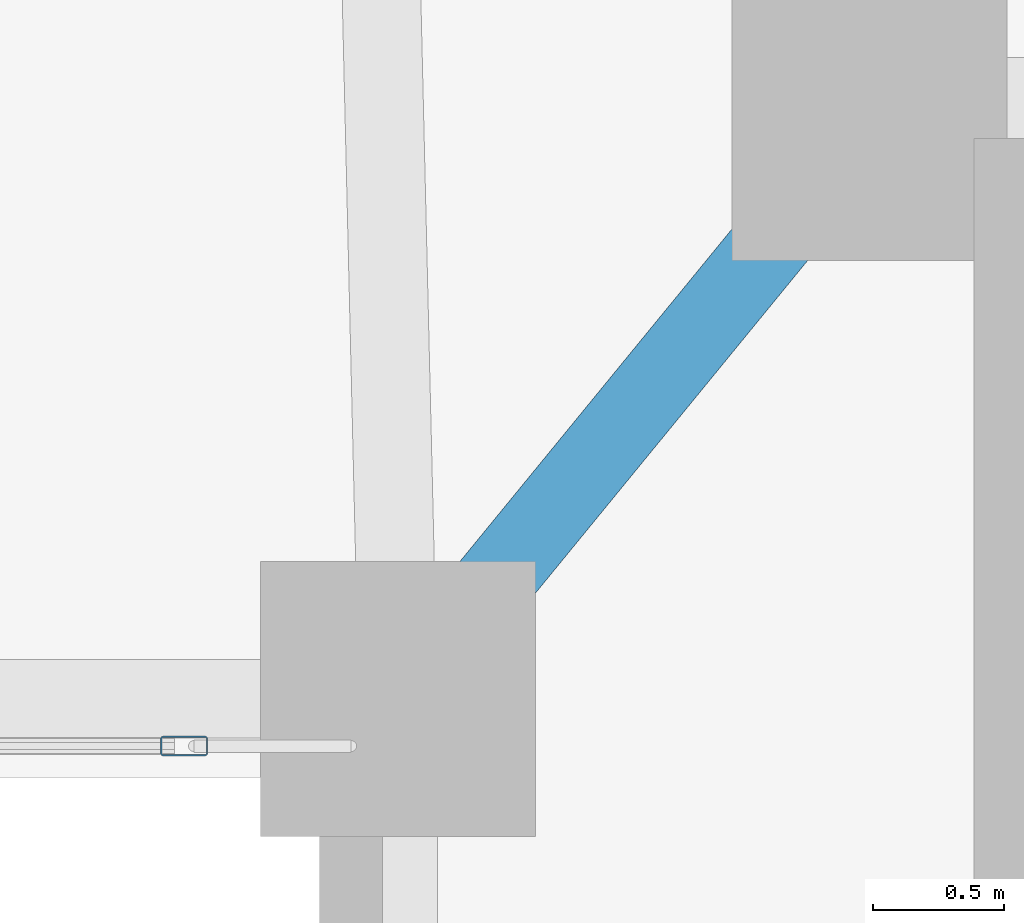
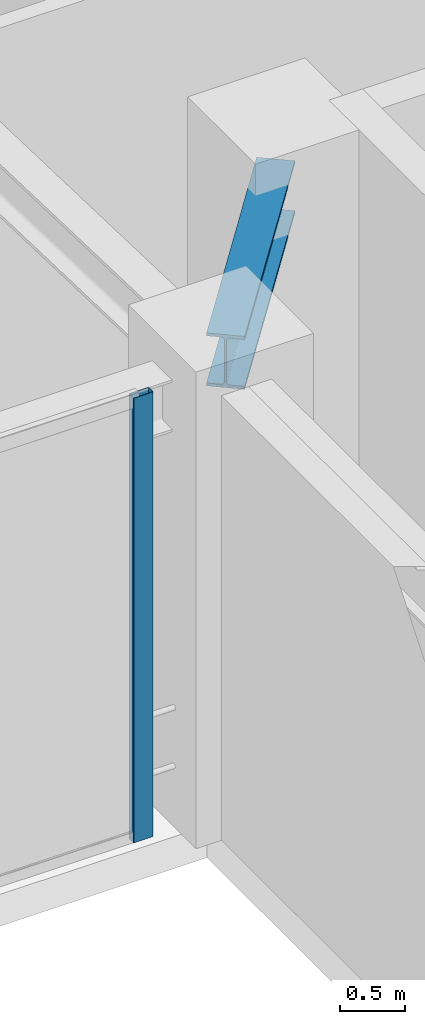
# One storey, part 15 of 33: 1 beam, 1 member, 1 element without a shape of its own.
"""IFC4 building model written with IfcOpenShell, lengths in metres."""

from ifc_helpers import new_model, si_unit, direction, frame, origin, origin_2d, place, context, subcontext, project, spatial, hollow_rectangle, i_section, extrude, material, layer, layer_set, material_profile, profile_set, type_object, element, aggregate, save


model = new_model("IFC4")

# Units and contexts
model_context = context("Model", 3, precision=1e-05, world=origin(), true_north=direction((0.0, 1.0)))
body_context = subcontext(model_context, "Body", "Model", "MODEL_VIEW")
ifc_project = project(units=[si_unit("LENGTHUNIT", "METRE"), si_unit("AREAUNIT", "SQUARE_METRE"), si_unit("VOLUMEUNIT", "CUBIC_METRE"), si_unit("PLANEANGLEUNIT", "RADIAN"), si_unit("MASSUNIT", "GRAM", prefix="KILO")], contexts=[model_context])

# Site, building, storey
site_placement = place(None, origin())
site = spatial("IfcSite", under=ifc_project, at=site_placement, CompositionType="ELEMENT")
building_placement = place(site_placement, origin())
building = spatial("IfcBuilding", under=site, at=building_placement, Name="Tarnavaz Court Tower", CompositionType="ELEMENT")
storey_placement = place(building_placement, frame((0.0, 0.0, 177.300048828125)))
storey = spatial("IfcBuildingStorey", under=building, at=storey_placement, Name="L48", CompositionType="ELEMENT", Elevation=177.300048828125)

# Beam
ifc_material_1 = material(Name="Steel S355", Category="steel")
ifc_material_profile_1 = material_profile(ifc_material_1, i_section(OverallWidth=0.300048828125, OverallDepth=0.5, WebThickness=0.014404296875, FlangeThickness=0.028076171875, FilletRadius=0.027099609375, at=origin_2d()), Name="HEB 500")
ifc_profile_set_1 = profile_set([ifc_material_profile_1], Name="Steel S355")
beam_type = type_object("IfcBeamType", Name="BM-G-HEB500", PredefinedType="USERDEFINED", material=ifc_profile_set_1)
beam_placement = place(storey_placement, frame((9.460693359375, 9.82958984375, 3.949951171875), z_axis=(-0.633282058357, -0.773921077735, 0.0), x_axis=(0.773921077735, -0.633282058357, 0.0)))
element("IfcBeam", 1, at=beam_placement, inside=storey, type_object=beam_type, Name="L48 Beam IN-CE-NI-IW-NE", ObjectType="GIRDER", PredefinedType="USERDEFINED", context=body_context, shape_type="SweptSolid", body=[
    extrude(i_section(OverallWidth=0.300048828125, OverallDepth=0.5, WebThickness=0.014404296875, FlangeThickness=0.028076171875, FilletRadius=0.027099609375, at=origin_2d()), origin(), (0.0, 0.0, 1.0), 2.402587890625),
])

# Curtain wall, member
ifc_material_2 = material(Name="Anodised Aluminium 6063-T6 and Solar Low-E Glazing", Category="aluminium")
ifc_layer = layer(ifc_material_2, 0.139892578125)
ifc_layer_set = layer_set([ifc_layer], Name="Anodised Aluminium 6063-T6 and Solar Low-E Glazing")
curtain_wall_type = type_object("IfcCurtainWallType", Name="CW-SYS-04", PredefinedType="NOTDEFINED", material=ifc_layer_set)
curtain_wall_placement = place(storey_placement, origin())
curtain_wall = element("IfcCurtainWall", 2, at=curtain_wall_placement, inside=storey, type_object=curtain_wall_type, Name="L48 Badgir Courtyard Curtain Wall N", PredefinedType="NOTDEFINED")
ifc_material_3 = material(Name="Anodised Aluminium 6063-T6", Category="aluminium")
ifc_material_profile_2 = material_profile(ifc_material_3, hollow_rectangle(XDim=0.074951171875, YDim=0.179931640625, WallThickness=0.0048828125, InnerFilletRadius=0.0048828125, OuterFilletRadius=0.010009765625, at=origin_2d()), Name="ALU RHS 180X75X5")
ifc_profile_set_2 = profile_set([ifc_material_profile_2], Name="Anodised Aluminium 6063-T6")
member_type = type_object("IfcMemberType", Name="CW-MUL-180", PredefinedType="MULLION", material=ifc_profile_set_2)
member_placement = place(storey_placement, frame((6.982421875, 7.6201171875, 0.0), z_axis=(0.0, 0.0, 1.0), x_axis=(0.0, -1.0, 0.0)))
member = element("IfcMember", 3, at=member_placement, type_object=member_type, Name="CW mullion 1", PredefinedType="MULLION", context=body_context, shape_type="SweptSolid", body=[
    extrude(hollow_rectangle(XDim=0.074951171875, YDim=0.179931640625, WallThickness=0.0048828125, InnerFilletRadius=0.0048828125, OuterFilletRadius=0.010009765625, at=origin_2d()), origin(), (0.0, 0.0, 1.0), 4.199951171875),
])
aggregate(curtain_wall, [member])

save(model, "model.ifc")
